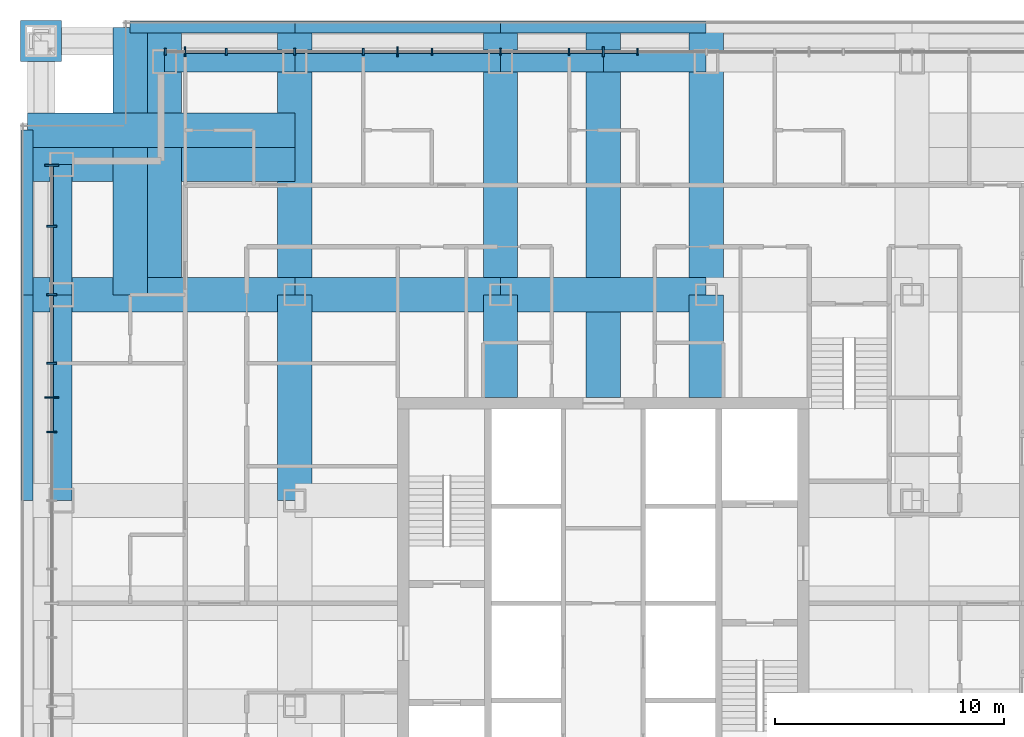
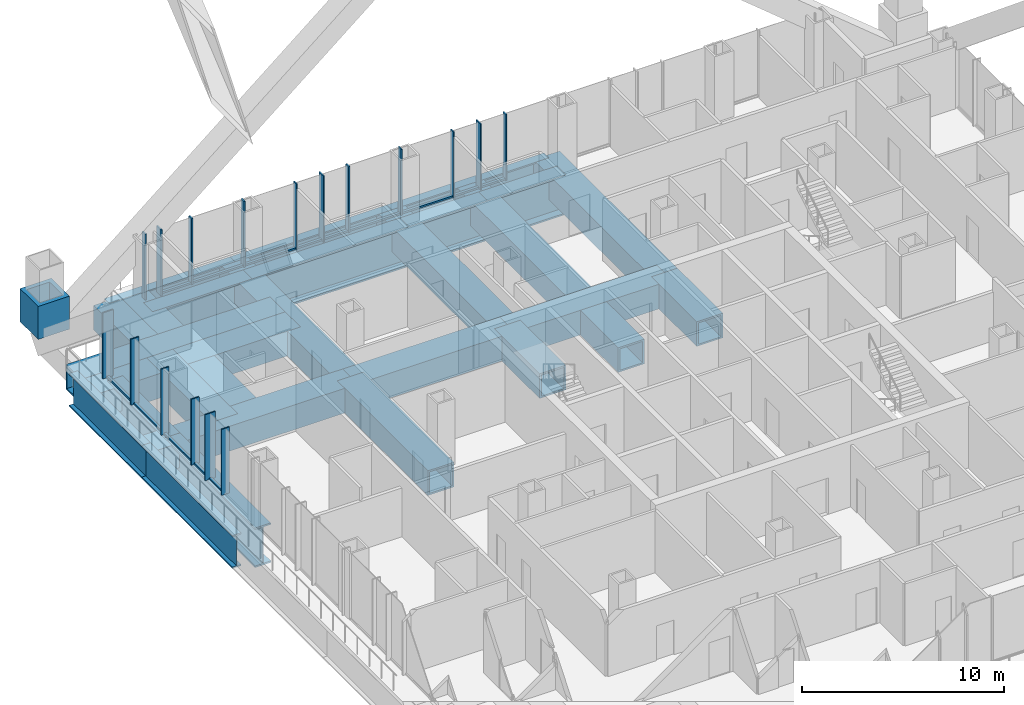
# One storey, part 9 of 20: 32 members, 25 beams, 2 elements without a shape of their own.
"""IFC4 building model written with IfcOpenShell, lengths in metres."""

import ifcopenshell
import ifcopenshell.guid

model = None  # the IFC model being written
_history = None  # IfcOwnerHistory: only IFC2X3 demands one
_inside = {}  # id of a spatial element -> (the spatial element, [elements in it])
_under = {}  # id of a project, library or spatial element -> (it, [spatial elements below it])
_declared = {}  # id of a project -> (the project, [libraries it declares])
_typed = {}  # id of a type object -> (the type object, [elements of that type])
_made_of = {}  # id of a material, layer set ... -> (it, [elements and type objects made of it])


def new_model(schema):
    """Start an empty IFC model of exactly this schema.

    Asked for "IFC4X3", IfcOpenShell would pick the latest addendum, in which some entities
    have other attributes; the version numbers below select the first issue.
    IFC2X3 requires an IfcOwnerHistory on every rooted entity: one is made here for all.
    """
    global model, _history
    if schema == "IFC4X3":
        model = ifcopenshell.file(schema_version=(4, 3, 0, 0))
    else:
        model = ifcopenshell.file(schema=schema)
    _inside.clear()
    _under.clear()
    _declared.clear()
    _typed.clear()
    _made_of.clear()
    _history = None
    if model.schema == "IFC2X3":
        org = make("IfcOrganization", Name="unknown")
        user = make(
            "IfcPersonAndOrganization",
            ThePerson=make("IfcPerson", FamilyName="unknown"),
            TheOrganization=org,
        )
        app = make(
            "IfcApplication",
            ApplicationDeveloper=org,
            Version="unknown",
            ApplicationFullName="unknown",
            ApplicationIdentifier="unknown",
        )
        _history = make(
            "IfcOwnerHistory",
            OwningUser=user,
            OwningApplication=app,
            ChangeAction="ADDED",
            CreationDate=0,
        )
    return model


def make(cls, **values):
    """One entity of the class cls with the attributes given. An attribute that is None is left unset."""
    return model.create_entity(
        cls, **{name: value for name, value in values.items() if value is not None}
    )


def rooted(cls, **values):
    """An entity with a GlobalId (a new one), such as an element, a storey or a relation."""
    return make(cls, GlobalId=ifcopenshell.guid.new(), OwnerHistory=_history, **values)


def si_unit(unit_type, name, prefix=None):
    """IfcSIUnit, for example si_unit("LENGTHUNIT", "METRE", prefix="MILLI")."""
    return make("IfcSIUnit", UnitType=unit_type, Prefix=prefix, Name=name)


def assignment(units):
    """IfcUnitAssignment: the units of a project."""
    return None if units is None else make("IfcUnitAssignment", Units=units)


def point(xyz):
    """IfcCartesianPoint."""
    return None if xyz is None else make("IfcCartesianPoint", Coordinates=xyz)


def direction(xyz):
    """IfcDirection."""
    return None if xyz is None else make("IfcDirection", DirectionRatios=xyz)


def frame(location, z_axis=None, x_axis=None):
    """IfcAxis2Placement3D, a coordinate frame: its origin and axes. An axis left out is left unset."""
    return make(
        "IfcAxis2Placement3D",
        Location=point(location),
        Axis=direction(z_axis),
        RefDirection=direction(x_axis),
    )


def frame_2d(location, x_axis=None):
    """IfcAxis2Placement2D, a coordinate frame in the plane: its origin and x axis."""
    return make(
        "IfcAxis2Placement2D", Location=point(location), RefDirection=direction(x_axis)
    )


def origin():
    """The frame at (0, 0, 0) with its axes left unset."""
    return frame((0.0, 0.0, 0.0))


def origin_2d():
    """The frame at (0, 0) in the plane with its x axis left unset."""
    return frame_2d((0.0, 0.0))


def place(relative_to, where):
    """IfcLocalPlacement: puts the frame where relative to a parent placement (None: the world)."""
    return make(
        "IfcLocalPlacement", PlacementRelTo=relative_to, RelativePlacement=where
    )


def context(
    kind, dimensions, precision=None, world=None, true_north=None, identifier=None
):
    """IfcGeometricRepresentationContext, for example the 3D "Model" context."""
    return make(
        "IfcGeometricRepresentationContext",
        ContextIdentifier=identifier,
        ContextType=kind,
        CoordinateSpaceDimension=dimensions,
        Precision=precision,
        WorldCoordinateSystem=world,
        TrueNorth=true_north,
    )


def subcontext(parent, identifier, kind, view, scale=None):
    """IfcGeometricRepresentationSubContext, for example "Body" below "Model"."""
    return make(
        "IfcGeometricRepresentationSubContext",
        ContextIdentifier=identifier,
        ContextType=kind,
        ParentContext=parent,
        TargetScale=scale,
        TargetView=view,
    )


def project(units=None, contexts=None):
    """IfcProject with its units and contexts."""
    return rooted(
        "IfcProject",
        Name="project",
        RepresentationContexts=contexts,
        UnitsInContext=assignment(units),
    )


def spatial(cls, under=None, at=None, **own):
    """A site, building, storey or space (cls), placed at a placement, below another one or the project."""
    s = rooted(cls, ObjectPlacement=at, **own)
    if under is not None:
        _under.setdefault(under.id(), (under, []))[1].append(s)
    return s


def profile(cls, at=None, kind="AREA", **sizes):
    """A parametric profile (cls). Its sizes go by their IFC names, for example OverallWidth=200.0."""
    return make(cls, ProfileType=kind, Position=at, **sizes)


def rectangle(**sizes):
    """IfcRectangleProfileDef."""
    return profile("IfcRectangleProfileDef", **sizes)


def hollow_rectangle(**sizes):
    """IfcRectangleHollowProfileDef."""
    return profile("IfcRectangleHollowProfileDef", **sizes)


def i_section(**sizes):
    """IfcIShapeProfileDef."""
    return profile("IfcIShapeProfileDef", **sizes)


def extrude(swept, where, along, depth):
    """IfcExtrudedAreaSolid: the profile swept, set in the frame where, extruded along a direction by depth."""
    return make(
        "IfcExtrudedAreaSolid",
        SweptArea=swept,
        Position=where,
        ExtrudedDirection=direction(along),
        Depth=depth,
    )


def shape(context_of_items, identifier, shape_type, items):
    """IfcShapeRepresentation: the items that make up one representation, for example the "Body"."""
    return make(
        "IfcShapeRepresentation",
        ContextOfItems=context_of_items,
        RepresentationIdentifier=identifier,
        RepresentationType=shape_type,
        Items=items,
    )


def material(Name=None, Category=None):
    """IfcMaterial."""
    return make("IfcMaterial", Name=Name, Category=Category)


def layer(
    of_material, thickness, ventilated=None, Name=None, Category=None, Priority=None
):
    """IfcMaterialLayer: one layer of a wall or slab, of a material (None: an air gap)."""
    return make(
        "IfcMaterialLayer",
        Material=of_material,
        LayerThickness=thickness,
        IsVentilated=ventilated,
        Name=Name,
        Category=Category,
        Priority=Priority,
    )


def layer_set(layers, Name=None):
    """IfcMaterialLayerSet."""
    return make("IfcMaterialLayerSet", MaterialLayers=layers, LayerSetName=Name)


def material_profile(
    of_material, cross_section, Name=None, Category=None, Priority=None
):
    """IfcMaterialProfile: a cross section and its material."""
    return make(
        "IfcMaterialProfile",
        Name=Name,
        Material=of_material,
        Profile=cross_section,
        Priority=Priority,
        Category=Category,
    )


def profile_set(profiles, Name=None, composite=None):
    """IfcMaterialProfileSet."""
    return make(
        "IfcMaterialProfileSet",
        Name=Name,
        MaterialProfiles=profiles,
        CompositeProfile=composite,
    )


def made_of(thing, what):
    """Note that an element or type object is made of a material, layer set ...; save() writes the relation."""
    if what is not None:
        _made_of.setdefault(what.id(), (what, []))[1].append(thing)
    return thing


def type_object(cls, material=None, **own):
    """A type object (cls), such as IfcWallType, which elements share."""
    return made_of(rooted(cls, **own), material)


def element(
    cls,
    number,
    at=None,
    inside=None,
    cuts=None,
    type_object=None,
    material=None,
    context=None,
    identifier="Body",
    shape_type=None,
    held_by="IfcProductDefinitionShape",
    body=None,
    shapes=None,
    **own,
):
    """One element of the class cls, such as IfcWall. Its Tag is "e" and its number.

    at: its placement. inside: the storey or other place that contains it. cuts: it is an
    opening in that element (IfcRelVoidsElement). A single representation is given by context,
    identifier, shape_type and body (its items); several are given by shapes. held_by: the class
    of the entity that holds the representations. save() writes the other relations.
    """
    e = rooted(cls, Tag="e%d" % number, ObjectPlacement=at, **own)
    if body is not None:
        shapes = [shape(context, identifier, shape_type, body)]
    if shapes is not None:
        e.Representation = make(held_by, Representations=shapes)
    if inside is not None:
        _inside.setdefault(inside.id(), (inside, []))[1].append(e)
    if cuts is not None:
        rooted(
            "IfcRelVoidsElement", RelatingBuildingElement=cuts, RelatedOpeningElement=e
        )
    if type_object is not None:
        _typed.setdefault(type_object.id(), (type_object, []))[1].append(e)
    return made_of(e, material)


def aggregate(whole, parts):
    """IfcRelAggregates: a whole, such as a stair, and the parts it consists of."""
    return rooted("IfcRelAggregates", RelatingObject=whole, RelatedObjects=parts)


def save(model, path):
    """Write the relations noted so far, then the file.

    IfcRelAggregates (storeys below a building ...), IfcRelContainedInSpatialStructure (elements
    in a storey), IfcRelDefinesByType, IfcRelAssociatesMaterial and IfcRelDeclares: one each for
    every whole, place, type object, material and project.
    """
    for whole, parts in _under.values():
        aggregate(whole, parts)
    for where, things in _inside.values():
        rooted(
            "IfcRelContainedInSpatialStructure",
            RelatedElements=things,
            RelatingStructure=where,
        )
    for kind, things in _typed.values():
        rooted("IfcRelDefinesByType", RelatedObjects=things, RelatingType=kind)
    for what, things in _made_of.values():
        rooted("IfcRelAssociatesMaterial", RelatedObjects=things, RelatingMaterial=what)
    for by, libraries in _declared.values():
        rooted("IfcRelDeclares", RelatingContext=by, RelatedDefinitions=libraries)
    model.write(path)


model = new_model("IFC4")

# Units and contexts
model_context = context("Model", 3, precision=1e-05, world=origin(), true_north=direction((0.0, 1.0)))
body_context = subcontext(model_context, "Body", "Model", "MODEL_VIEW")
ifc_project = project(units=[si_unit("LENGTHUNIT", "METRE"), si_unit("AREAUNIT", "SQUARE_METRE"), si_unit("VOLUMEUNIT", "CUBIC_METRE"), si_unit("PLANEANGLEUNIT", "RADIAN"), si_unit("MASSUNIT", "GRAM", prefix="KILO")], contexts=[model_context])

# Site, building, storey
site_placement = place(None, origin())
site = spatial("IfcSite", under=ifc_project, at=site_placement, CompositionType="ELEMENT")
building_placement = place(site_placement, origin())
building = spatial("IfcBuilding", under=site, at=building_placement, Name="Malebo Sky Hospital", CompositionType="ELEMENT")
storey_placement = place(building_placement, frame((0.0, 0.0, 100.0)))
storey = spatial("IfcBuildingStorey", under=building, at=storey_placement, Name="L23", CompositionType="ELEMENT", Elevation=100.0)

# Curtain wall, members
ifc_material_1 = material(Name="Anodised aluminium, natural silver", Category="aluminium")
ifc_layer_1 = layer(ifc_material_1, 0.25)
ifc_layer_set_1 = layer_set([ifc_layer_1], Name="WARD CURTAIN WALL NORTH AND SOUTH")
curtain_wall_type_1 = type_object("IfcCurtainWallType", Name="WARD CURTAIN WALL NORTH AND SOUTH", PredefinedType="NOTDEFINED", material=ifc_layer_set_1)
curtain_wall_1_placement = place(storey_placement, origin())
curtain_wall_1 = element("IfcCurtainWall", 1, at=curtain_wall_1_placement, inside=storey, type_object=curtain_wall_type_1, Name="NS curtain wall N", PredefinedType="NOTDEFINED")
ifc_material_profile_1 = material_profile(ifc_material_1, rectangle(XDim=0.14990234375, YDim=0.10009765625, at=origin_2d()), Name="ALUMINIUM TRANSOM 150x100")
ifc_profile_set_1 = profile_set([ifc_material_profile_1], Name="Anodised aluminium, natural silver")
member_type_1 = type_object("IfcMemberType", Name="ALUMINIUM TRANSOM 150x100", PredefinedType="USERDEFINED", material=ifc_profile_set_1)
member_1_placement = place(storey_placement, frame((41.737548828125, 86.135009765625, 0.050048828125), z_axis=(1.0, 0.0, 0.0), x_axis=(0.0, 1.0, 0.0)))
member_1 = element("IfcMember", 2, at=member_1_placement, type_object=member_type_1, Name="Transom 2", ObjectType="TRANSOM", PredefinedType="USERDEFINED", context=body_context, shape_type="SweptSolid", body=[
    extrude(rectangle(XDim=0.14990234375, YDim=0.10009765625, at=origin_2d()), origin(), (0.0, 0.0, 1.0), 1.724853515625),
])
member_2_placement = place(storey_placement, frame((43.53759765625, 86.135009765625, 0.050048828125), z_axis=(1.0, 0.0, 0.0), x_axis=(0.0, 1.0, 0.0)))
member_2 = element("IfcMember", 3, at=member_2_placement, type_object=member_type_1, Name="Transom 3", ObjectType="TRANSOM", PredefinedType="USERDEFINED", context=body_context, shape_type="SweptSolid", body=[
    extrude(rectangle(XDim=0.14990234375, YDim=0.10009765625, at=origin_2d()), origin(), (0.0, 0.0, 1.0), 2.9248046875),
])
member_3_placement = place(storey_placement, frame((46.53759765625, 86.135009765625, 0.050048828125), z_axis=(1.0, 0.0, 0.0), x_axis=(0.0, 1.0, 0.0)))
member_3 = element("IfcMember", 4, at=member_3_placement, type_object=member_type_1, Name="Transom 4", ObjectType="TRANSOM", PredefinedType="USERDEFINED", context=body_context, shape_type="SweptSolid", body=[
    extrude(rectangle(XDim=0.14990234375, YDim=0.10009765625, at=origin_2d()), origin(), (0.0, 0.0, 1.0), 2.9248046875),
])
member_4_placement = place(storey_placement, frame((49.53759765625, 86.135009765625, 0.050048828125), z_axis=(1.0, 0.0, 0.0), x_axis=(0.0, 1.0, 0.0)))
member_4 = element("IfcMember", 5, at=member_4_placement, type_object=member_type_1, Name="Transom 5", ObjectType="TRANSOM", PredefinedType="USERDEFINED", context=body_context, shape_type="SweptSolid", body=[
    extrude(rectangle(XDim=0.14990234375, YDim=0.10009765625, at=origin_2d()), origin(), (0.0, 0.0, 1.0), 1.4248046875),
])
member_5_placement = place(storey_placement, frame((51.03759765625, 86.135009765625, 0.050048828125), z_axis=(1.0, 0.0, 0.0), x_axis=(0.0, 1.0, 0.0)))
member_5 = element("IfcMember", 6, at=member_5_placement, type_object=member_type_1, Name="Transom 6", ObjectType="TRANSOM", PredefinedType="USERDEFINED", context=body_context, shape_type="SweptSolid", body=[
    extrude(rectangle(XDim=0.14990234375, YDim=0.10009765625, at=origin_2d()), origin(), (0.0, 0.0, 1.0), 1.4248046875),
])
member_6_placement = place(storey_placement, frame((52.53759765625, 86.135009765625, 0.050048828125), z_axis=(1.0, 0.0, 0.0), x_axis=(0.0, 1.0, 0.0)))
member_6 = element("IfcMember", 7, at=member_6_placement, type_object=member_type_1, Name="Transom 7", ObjectType="TRANSOM", PredefinedType="USERDEFINED", context=body_context, shape_type="SweptSolid", body=[
    extrude(rectangle(XDim=0.14990234375, YDim=0.10009765625, at=origin_2d()), origin(), (0.0, 0.0, 1.0), 2.9248046875),
])
member_7_placement = place(storey_placement, frame((55.53759765625, 86.135009765625, 0.050048828125), z_axis=(1.0, 0.0, 0.0), x_axis=(0.0, 1.0, 0.0)))
member_7 = element("IfcMember", 8, at=member_7_placement, type_object=member_type_1, Name="Transom 8", ObjectType="TRANSOM", PredefinedType="USERDEFINED", context=body_context, shape_type="SweptSolid", body=[
    extrude(rectangle(XDim=0.14990234375, YDim=0.10009765625, at=origin_2d()), origin(), (0.0, 0.0, 1.0), 2.9248046875),
])
member_8_placement = place(storey_placement, frame((58.53759765625, 86.135009765625, 0.050048828125), z_axis=(1.0, 0.0, 0.0), x_axis=(0.0, 1.0, 0.0)))
member_8 = element("IfcMember", 9, at=member_8_placement, type_object=member_type_1, Name="Transom 9", ObjectType="TRANSOM", PredefinedType="USERDEFINED", context=body_context, shape_type="SweptSolid", body=[
    extrude(rectangle(XDim=0.14990234375, YDim=0.10009765625, at=origin_2d()), origin(), (0.0, 0.0, 1.0), 1.4248046875),
])
member_9_placement = place(storey_placement, frame((60.03759765625, 86.135009765625, 0.050048828125), z_axis=(1.0, 0.0, 0.0), x_axis=(0.0, 1.0, 0.0)))
member_9 = element("IfcMember", 10, at=member_9_placement, type_object=member_type_1, Name="Transom 10", ObjectType="TRANSOM", PredefinedType="USERDEFINED", context=body_context, shape_type="SweptSolid", body=[
    extrude(rectangle(XDim=0.14990234375, YDim=0.10009765625, at=origin_2d()), origin(), (0.0, 0.0, 1.0), 1.4248046875),
])

ifc_layer_2 = layer(ifc_material_1, 0.25)
ifc_layer_set_2 = layer_set([ifc_layer_2], Name="WARD CURTAIN WALL EAST AND WEST")
curtain_wall_type_2 = type_object("IfcCurtainWallType", Name="WARD CURTAIN WALL EAST AND WEST", PredefinedType="NOTDEFINED", material=ifc_layer_set_2)
curtain_wall_2_placement = place(storey_placement, origin())
curtain_wall_2 = element("IfcCurtainWall", 11, at=curtain_wall_2_placement, inside=storey, type_object=curtain_wall_type_2, Name="EW curtain wall W", PredefinedType="NOTDEFINED")
member_10_placement = place(storey_placement, frame((35.864990234375, 69.53759765625, 0.050048828125), z_axis=(0.0, 1.0, 0.0), x_axis=(-1.0, 0.0, 0.0)))
member_10 = element("IfcMember", 12, at=member_10_placement, type_object=member_type_1, Name="Transom 13", ObjectType="TRANSOM", PredefinedType="USERDEFINED", context=body_context, shape_type="SweptSolid", body=[
    extrude(rectangle(XDim=0.14990234375, YDim=0.10009765625, at=origin_2d()), origin(), (0.0, 0.0, 1.0), 1.4248046875),
])
member_11_placement = place(storey_placement, frame((35.864990234375, 71.03759765625, 0.050048828125), z_axis=(0.0, 1.0, 0.0), x_axis=(-1.0, 0.0, 0.0)))
member_11 = element("IfcMember", 13, at=member_11_placement, type_object=member_type_1, Name="Transom 14", ObjectType="TRANSOM", PredefinedType="USERDEFINED", context=body_context, shape_type="SweptSolid", body=[
    extrude(rectangle(XDim=0.14990234375, YDim=0.10009765625, at=origin_2d()), origin(), (0.0, 0.0, 1.0), 1.4248046875),
])
member_12_placement = place(storey_placement, frame((35.864990234375, 72.53759765625, 0.050048828125), z_axis=(0.0, 1.0, 0.0), x_axis=(-1.0, 0.0, 0.0)))
member_12 = element("IfcMember", 14, at=member_12_placement, type_object=member_type_1, Name="Transom 15", ObjectType="TRANSOM", PredefinedType="USERDEFINED", context=body_context, shape_type="SweptSolid", body=[
    extrude(rectangle(XDim=0.14990234375, YDim=0.10009765625, at=origin_2d()), origin(), (0.0, 0.0, 1.0), 2.9248046875),
])
member_13_placement = place(storey_placement, frame((35.864990234375, 75.53759765625, 0.050048828125), z_axis=(0.0, 1.0, 0.0), x_axis=(-1.0, 0.0, 0.0)))
member_13 = element("IfcMember", 15, at=member_13_placement, type_object=member_type_1, Name="Transom 16", ObjectType="TRANSOM", PredefinedType="USERDEFINED", context=body_context, shape_type="SweptSolid", body=[
    extrude(rectangle(XDim=0.14990234375, YDim=0.10009765625, at=origin_2d()), origin(), (0.0, 0.0, 1.0), 2.9248046875),
])
member_14_placement = place(storey_placement, frame((35.864990234375, 78.53759765625, 0.050048828125), z_axis=(0.0, 1.0, 0.0), x_axis=(-1.0, 0.0, 0.0)))
member_14 = element("IfcMember", 16, at=member_14_placement, type_object=member_type_1, Name="Transom 17", ObjectType="TRANSOM", PredefinedType="USERDEFINED", context=body_context, shape_type="SweptSolid", body=[
    extrude(rectangle(XDim=0.14990234375, YDim=0.10009765625, at=origin_2d()), origin(), (0.0, 0.0, 1.0), 2.58740234375),
])

# Member
ifc_material_profile_2 = material_profile(ifc_material_1, rectangle(XDim=0.074951171875, YDim=0.300048828125, at=origin_2d()), Name="CW1 ALUMINIUM FIN MULLION 75x300")
ifc_profile_set_2 = profile_set([ifc_material_profile_2], Name="Anodised aluminium, natural silver")
member_type_2 = type_object("IfcMemberType", Name="CW1 ALUMINIUM FIN MULLION 75x300", PredefinedType="MULLION", material=ifc_profile_set_2)
member_15_placement = place(storey_placement, frame((40.83740234375, 86.135009765625, 0.0), z_axis=(0.0, 0.0, 1.0), x_axis=(1.0, 0.0, 0.0)))
member_15 = element("IfcMember", 17, at=member_15_placement, type_object=member_type_2, Name="Fin mullion 1", PredefinedType="MULLION", context=body_context, shape_type="SweptSolid", body=[
    extrude(rectangle(XDim=0.074951171875, YDim=0.300048828125, at=origin_2d()), origin(), (0.0, 0.0, 1.0), 4.0),
])

member_16_placement = place(storey_placement, frame((43.5, 86.135009765625, 0.0), z_axis=(0.0, 0.0, 1.0), x_axis=(1.0, 0.0, 0.0)))
member_16 = element("IfcMember", 18, at=member_16_placement, type_object=member_type_2, Name="Fin mullion 3", PredefinedType="MULLION", context=body_context, shape_type="SweptSolid", body=[
    extrude(rectangle(XDim=0.074951171875, YDim=0.300048828125, at=origin_2d()), origin(), (0.0, 0.0, 1.0), 4.0),
])

member_17_placement = place(storey_placement, frame((46.5, 86.135009765625, 0.0), z_axis=(0.0, 0.0, 1.0), x_axis=(1.0, 0.0, 0.0)))
member_17 = element("IfcMember", 19, at=member_17_placement, type_object=member_type_2, Name="Fin mullion 4", PredefinedType="MULLION", context=body_context, shape_type="SweptSolid", body=[
    extrude(rectangle(XDim=0.074951171875, YDim=0.300048828125, at=origin_2d()), origin(), (0.0, 0.0, 1.0), 4.0),
])

member_18_placement = place(storey_placement, frame((49.5, 86.135009765625, 0.0), z_axis=(0.0, 0.0, 1.0), x_axis=(1.0, 0.0, 0.0)))
member_18 = element("IfcMember", 20, at=member_18_placement, type_object=member_type_2, Name="Fin mullion 5", PredefinedType="MULLION", context=body_context, shape_type="SweptSolid", body=[
    extrude(rectangle(XDim=0.074951171875, YDim=0.300048828125, at=origin_2d()), origin(), (0.0, 0.0, 1.0), 4.0),
])

member_19_placement = place(storey_placement, frame((52.5, 86.135009765625, 0.0), z_axis=(0.0, 0.0, 1.0), x_axis=(1.0, 0.0, 0.0)))
member_19 = element("IfcMember", 21, at=member_19_placement, type_object=member_type_2, Name="Fin mullion 7", PredefinedType="MULLION", context=body_context, shape_type="SweptSolid", body=[
    extrude(rectangle(XDim=0.074951171875, YDim=0.300048828125, at=origin_2d()), origin(), (0.0, 0.0, 1.0), 4.0),
])

member_20_placement = place(storey_placement, frame((55.5, 86.135009765625, 0.0), z_axis=(0.0, 0.0, 1.0), x_axis=(1.0, 0.0, 0.0)))
member_20 = element("IfcMember", 22, at=member_20_placement, type_object=member_type_2, Name="Fin mullion 8", PredefinedType="MULLION", context=body_context, shape_type="SweptSolid", body=[
    extrude(rectangle(XDim=0.074951171875, YDim=0.300048828125, at=origin_2d()), origin(), (0.0, 0.0, 1.0), 4.0),
])

member_21_placement = place(storey_placement, frame((58.5, 86.135009765625, 0.0), z_axis=(0.0, 0.0, 1.0), x_axis=(1.0, 0.0, 0.0)))
member_21 = element("IfcMember", 23, at=member_21_placement, type_object=member_type_2, Name="Fin mullion 9", PredefinedType="MULLION", context=body_context, shape_type="SweptSolid", body=[
    extrude(rectangle(XDim=0.074951171875, YDim=0.300048828125, at=origin_2d()), origin(), (0.0, 0.0, 1.0), 4.0),
])

member_22_placement = place(storey_placement, frame((61.5, 86.135009765625, 0.0), z_axis=(0.0, 0.0, 1.0), x_axis=(1.0, 0.0, 0.0)))
member_22 = element("IfcMember", 24, at=member_22_placement, type_object=member_type_2, Name="Fin mullion 11", PredefinedType="MULLION", context=body_context, shape_type="SweptSolid", body=[
    extrude(rectangle(XDim=0.074951171875, YDim=0.300048828125, at=origin_2d()), origin(), (0.0, 0.0, 1.0), 4.0),
])

ifc_material_profile_3 = material_profile(ifc_material_1, rectangle(XDim=0.074951171875, YDim=0.449951171875, at=origin_2d()), Name="CW1 ALUMINIUM FIN MULLION 75x450")
ifc_profile_set_3 = profile_set([ifc_material_profile_3], Name="Anodised aluminium, natural silver")
member_type_3 = type_object("IfcMemberType", Name="CW1 ALUMINIUM FIN MULLION 75x450", PredefinedType="MULLION", material=ifc_profile_set_3)
member_23_placement = place(storey_placement, frame((41.699951171875, 86.135009765625, 0.0), z_axis=(0.0, 0.0, 1.0), x_axis=(1.0, 0.0, 0.0)))
member_23 = element("IfcMember", 25, at=member_23_placement, type_object=member_type_3, Name="Fin mullion 2", PredefinedType="MULLION", context=body_context, shape_type="SweptSolid", body=[
    extrude(rectangle(XDim=0.074951171875, YDim=0.449951171875, at=origin_2d()), origin(), (0.0, 0.0, 1.0), 4.0),
])

member_24_placement = place(storey_placement, frame((51.0, 86.135009765625, 0.0), z_axis=(0.0, 0.0, 1.0), x_axis=(1.0, 0.0, 0.0)))
member_24 = element("IfcMember", 26, at=member_24_placement, type_object=member_type_3, Name="Fin mullion 6", PredefinedType="MULLION", context=body_context, shape_type="SweptSolid", body=[
    extrude(rectangle(XDim=0.074951171875, YDim=0.449951171875, at=origin_2d()), origin(), (0.0, 0.0, 1.0), 4.0),
])

member_25_placement = place(storey_placement, frame((60.0, 86.135009765625, 0.0), z_axis=(0.0, 0.0, 1.0), x_axis=(1.0, 0.0, 0.0)))
member_25 = element("IfcMember", 27, at=member_25_placement, type_object=member_type_3, Name="Fin mullion 10", PredefinedType="MULLION", context=body_context, shape_type="SweptSolid", body=[
    extrude(rectangle(XDim=0.074951171875, YDim=0.449951171875, at=origin_2d()), origin(), (0.0, 0.0, 1.0), 4.0),
])

aggregate(curtain_wall_1, [member_15, member_23, member_16, member_17, member_18, member_24, member_19, member_20, member_21, member_25, member_22, member_1, member_2, member_3, member_4, member_5, member_6, member_7, member_8, member_9])

ifc_material_profile_4 = material_profile(ifc_material_1, rectangle(XDim=0.074951171875, YDim=0.449951171875, at=origin_2d()), Name="CW2 ALUMINIUM FIN MULLION 75x450")
ifc_profile_set_4 = profile_set([ifc_material_profile_4], Name="Anodised aluminium, natural silver")
member_type_4 = type_object("IfcMemberType", Name="CW2 ALUMINIUM FIN MULLION 75x450", PredefinedType="MULLION", material=ifc_profile_set_4)
member_26_placement = place(storey_placement, frame((35.864990234375, 69.5, 0.0), z_axis=(0.0, 0.0, 1.0), x_axis=(0.0, 1.0, 0.0)))
member_26 = element("IfcMember", 28, at=member_26_placement, type_object=member_type_4, Name="Fin mullion 13", PredefinedType="MULLION", context=body_context, shape_type="SweptSolid", body=[
    extrude(rectangle(XDim=0.074951171875, YDim=0.449951171875, at=origin_2d()), origin(), (0.0, 0.0, 1.0), 4.0),
])

member_27_placement = place(storey_placement, frame((35.864990234375, 72.5, 0.0), z_axis=(0.0, 0.0, 1.0), x_axis=(0.0, 1.0, 0.0)))
member_27 = element("IfcMember", 29, at=member_27_placement, type_object=member_type_4, Name="Fin mullion 15", PredefinedType="MULLION", context=body_context, shape_type="SweptSolid", body=[
    extrude(rectangle(XDim=0.074951171875, YDim=0.449951171875, at=origin_2d()), origin(), (0.0, 0.0, 1.0), 4.0),
])

member_28_placement = place(storey_placement, frame((35.864990234375, 75.5, 0.0), z_axis=(0.0, 0.0, 1.0), x_axis=(0.0, 1.0, 0.0)))
member_28 = element("IfcMember", 30, at=member_28_placement, type_object=member_type_4, Name="Fin mullion 16", PredefinedType="MULLION", context=body_context, shape_type="SweptSolid", body=[
    extrude(rectangle(XDim=0.074951171875, YDim=0.449951171875, at=origin_2d()), origin(), (0.0, 0.0, 1.0), 4.0),
])

member_29_placement = place(storey_placement, frame((35.864990234375, 78.5, 0.0), z_axis=(0.0, 0.0, 1.0), x_axis=(0.0, 1.0, 0.0)))
member_29 = element("IfcMember", 31, at=member_29_placement, type_object=member_type_4, Name="Fin mullion 17", PredefinedType="MULLION", context=body_context, shape_type="SweptSolid", body=[
    extrude(rectangle(XDim=0.074951171875, YDim=0.449951171875, at=origin_2d()), origin(), (0.0, 0.0, 1.0), 4.0),
])

ifc_material_profile_5 = material_profile(ifc_material_1, rectangle(XDim=0.074951171875, YDim=0.60009765625, at=origin_2d()), Name="CW2 ALUMINIUM FIN MULLION 75x600")
ifc_profile_set_5 = profile_set([ifc_material_profile_5], Name="Anodised aluminium, natural silver")
member_type_5 = type_object("IfcMemberType", Name="CW2 ALUMINIUM FIN MULLION 75x600", PredefinedType="MULLION", material=ifc_profile_set_5)
member_30_placement = place(storey_placement, frame((35.864990234375, 71.0, 0.0), z_axis=(0.0, 0.0, 1.0), x_axis=(0.0, 1.0, 0.0)))
member_30 = element("IfcMember", 32, at=member_30_placement, type_object=member_type_5, Name="Fin mullion 14", PredefinedType="MULLION", context=body_context, shape_type="SweptSolid", body=[
    extrude(rectangle(XDim=0.074951171875, YDim=0.60009765625, at=origin_2d()), origin(), (0.0, 0.0, 1.0), 4.0),
])

member_31_placement = place(storey_placement, frame((35.864990234375, 81.16259765625, 0.0), z_axis=(0.0, 0.0, 1.0), x_axis=(0.0, 1.0, 0.0)))
member_31 = element("IfcMember", 33, at=member_31_placement, type_object=member_type_5, Name="Fin mullion 18", PredefinedType="MULLION", context=body_context, shape_type="SweptSolid", body=[
    extrude(rectangle(XDim=0.074951171875, YDim=0.60009765625, at=origin_2d()), origin(), (0.0, 0.0, 1.0), 4.0),
])

aggregate(curtain_wall_2, [member_26, member_30, member_27, member_28, member_29, member_31, member_10, member_11, member_12, member_13, member_14])

ifc_material_2 = material(Name="Steel S460", Category="steel")
ifc_material_profile_6 = material_profile(ifc_material_2, hollow_rectangle(XDim=1.800048828125, YDim=1.800048828125, WallThickness=0.25, at=origin_2d()), Name="BOX 1800x1800x250")
ifc_profile_set_6 = profile_set([ifc_material_profile_6], Name="Steel S460")
member_type_6 = type_object("IfcMemberType", Name="MEGA COLUMN NODE BOX 1800x1800x250", PredefinedType="MEMBER", material=ifc_profile_set_6)
member_32_placement = place(storey_placement, frame((35.39990234375, 86.60009765625, 0.0), z_axis=(0.0, 0.0, 1.0), x_axis=(1.0, 0.0, 0.0)))
element("IfcMember", 34, at=member_32_placement, inside=storey, type_object=member_type_6, Name="Mega column node NW L23", PredefinedType="MEMBER", context=body_context, shape_type="SweptSolid", body=[
    extrude(hollow_rectangle(XDim=1.800048828125, YDim=1.800048828125, WallThickness=0.25, at=origin_2d()), origin(), (0.0, 0.0, 1.0), 2.0),
])

# Beams
ifc_material_profile_7 = material_profile(ifc_material_2, hollow_rectangle(XDim=1.5, YDim=1.5, WallThickness=0.10009765625, at=origin_2d()), Name="BOX 1500x1500x100")
ifc_profile_set_7 = profile_set([ifc_material_profile_7], Name="Steel S460")
beam_type_1 = type_object("IfcBeamType", Name="TRANSFER GIRDER BOX 1500x1500x100", PredefinedType="BEAM", material=ifc_profile_set_7)
beam_1_placement = place(storey_placement, frame((46.5, 66.5, -1.0), z_axis=(0.0, 1.0, 0.0), x_axis=(-1.0, 0.0, 0.0)))
element("IfcBeam", 35, at=beam_1_placement, inside=storey, type_object=beam_type_1, Name="Beam 013 L23", PredefinedType="BEAM", context=body_context, shape_type="SweptSolid", body=[
    extrude(hollow_rectangle(XDim=1.5, YDim=1.5, WallThickness=0.10009765625, at=origin_2d()), origin(), (0.0, 0.0, 1.0), 9.0),
])
beam_2_placement = place(storey_placement, frame((46.5, 75.5, -1.0), z_axis=(0.0, 1.0, 0.0), x_axis=(-1.0, 0.0, 0.0)))
element("IfcBeam", 36, at=beam_2_placement, inside=storey, type_object=beam_type_1, Name="Beam 014 L23", PredefinedType="BEAM", context=body_context, shape_type="SweptSolid", body=[
    extrude(hollow_rectangle(XDim=1.5, YDim=1.5, WallThickness=0.10009765625, at=origin_2d()), origin(), (0.0, 0.0, 1.0), 11.699951171875),
])
beam_3_placement = place(storey_placement, frame((55.5, 71.0, -1.0), z_axis=(0.0, 1.0, 0.0), x_axis=(-1.0, 0.0, 0.0)))
element("IfcBeam", 37, at=beam_3_placement, inside=storey, type_object=beam_type_1, Name="Beam 017 L23", PredefinedType="BEAM", context=body_context, shape_type="SweptSolid", body=[
    extrude(hollow_rectangle(XDim=1.5, YDim=1.5, WallThickness=0.10009765625, at=origin_2d()), origin(), (0.0, 0.0, 1.0), 4.5),
])
beam_4_placement = place(storey_placement, frame((55.5, 75.5, -1.0), z_axis=(0.0, 1.0, 0.0), x_axis=(-1.0, 0.0, 0.0)))
element("IfcBeam", 38, at=beam_4_placement, inside=storey, type_object=beam_type_1, Name="Beam 018 L23", PredefinedType="BEAM", context=body_context, shape_type="SweptSolid", body=[
    extrude(hollow_rectangle(XDim=1.5, YDim=1.5, WallThickness=0.10009765625, at=origin_2d()), origin(), (0.0, 0.0, 1.0), 11.699951171875),
])
beam_5_placement = place(storey_placement, frame((64.5, 71.0, -1.0), z_axis=(0.0, 1.0, 0.0), x_axis=(-1.0, 0.0, 0.0)))
element("IfcBeam", 39, at=beam_5_placement, inside=storey, type_object=beam_type_1, Name="Beam 023 L23", PredefinedType="BEAM", context=body_context, shape_type="SweptSolid", body=[
    extrude(hollow_rectangle(XDim=1.5, YDim=1.5, WallThickness=0.10009765625, at=origin_2d()), origin(), (0.0, 0.0, 1.0), 4.5),
])
for number, where, z_axis, x_axis, name in (
    (40, (64.5, 75.5, -1.0), (0.0, 1.0, 0.0), (-1.0, 0.0, 0.0), "Beam 024 L23"),
    (41, (34.800048828125, 75.5, -1.0), (1.0, 0.0, 0.0), (0.0, 1.0, 0.0), "Beam 065 L23"),
):
    element("IfcBeam", number, at=place(storey_placement, frame(where, z_axis=z_axis, x_axis=x_axis)), inside=storey, type_object=beam_type_1, Name=name, PredefinedType="BEAM", context=body_context, shape_type="SweptSolid", body=[
        extrude(hollow_rectangle(XDim=1.5, YDim=1.5, WallThickness=0.10009765625, at=origin_2d()), origin(), (0.0, 0.0, 1.0), 11.699951171875),
    ])
for number, where, z_axis, x_axis, name in (
    (42, (46.5, 75.5, -1.0), (1.0, 0.0, 0.0), (0.0, 1.0, 0.0), "Beam 066 L23"),
    (43, (55.5, 75.5, -1.0), (1.0, 0.0, 0.0), (0.0, 1.0, 0.0), "Beam 067 L23"),
):
    element("IfcBeam", number, at=place(storey_placement, frame(where, z_axis=z_axis, x_axis=x_axis)), inside=storey, type_object=beam_type_1, Name=name, PredefinedType="BEAM", context=body_context, shape_type="SweptSolid", body=[
        extrude(hollow_rectangle(XDim=1.5, YDim=1.5, WallThickness=0.10009765625, at=origin_2d()), origin(), (0.0, 0.0, 1.0), 9.0),
    ])
for number, where, z_axis, x_axis, name in (
    (44, (39.300048828125, 75.5, -1.0), (0.0, 1.0, 0.0), (-1.0, 0.0, 0.0), "Beam 007 L23"),
    (45, (40.800048828125, 75.5, -1.0), (0.0, 1.0, 0.0), (-1.0, 0.0, 0.0), "Beam 009 L23"),
):
    element("IfcBeam", number, at=place(storey_placement, frame(where, z_axis=z_axis, x_axis=x_axis)), inside=storey, type_object=beam_type_1, Name=name, PredefinedType="BEAM", context=body_context, shape_type="SweptSolid", body=[
        extrude(hollow_rectangle(XDim=1.5, YDim=1.5, WallThickness=0.10009765625, at=origin_2d()), origin(), (0.0, 0.0, 1.0), 11.699951171875),
    ])
beam_6_placement = place(storey_placement, frame((60.0, 71.0, -1.0), z_axis=(0.0, 1.0, 0.0), x_axis=(-1.0, 0.0, 0.0)))
element("IfcBeam", 46, at=beam_6_placement, inside=storey, type_object=beam_type_1, Name="Beam 020 L23", PredefinedType="BEAM", context=body_context, shape_type="SweptSolid", body=[
    extrude(hollow_rectangle(XDim=1.5, YDim=1.5, WallThickness=0.10009765625, at=origin_2d()), origin(), (0.0, 0.0, 1.0), 16.199951171875),
])
for number, where, z_axis, x_axis, name in (
    (47, (34.800048828125, 81.199951171875, -1.0), (1.0, 0.0, 0.0), (0.0, 1.0, 0.0), "Beam 070 L23"),
    (48, (34.800048828125, 82.699951171875, -1.0), (1.0, 0.0, 0.0), (0.0, 1.0, 0.0), "Beam 072 L23"),
):
    element("IfcBeam", number, at=place(storey_placement, frame(where, z_axis=z_axis, x_axis=x_axis)), inside=storey, type_object=beam_type_1, Name=name, PredefinedType="BEAM", context=body_context, shape_type="SweptSolid", body=[
        extrude(hollow_rectangle(XDim=1.5, YDim=1.5, WallThickness=0.10009765625, at=origin_2d()), origin(), (0.0, 0.0, 1.0), 11.699951171875),
    ])
ifc_material_3 = material(Name="Steel S355", Category="steel")
ifc_material_profile_8 = material_profile(ifc_material_3, i_section(OverallWidth=0.5, OverallDepth=2.0, WebThickness=0.0400390625, FlangeThickness=0.080078125, at=origin_2d()), Name="PG 2000x500x40x80")
ifc_profile_set_8 = profile_set([ifc_material_profile_8], Name="Steel S355")
beam_type_2 = type_object("IfcBeamType", Name="TRANSFER GIRDER PG 2000x500x40x80", PredefinedType="BEAM", material=ifc_profile_set_8)
beam_7_placement = place(storey_placement, frame((34.800048828125, 66.5, -1.25), z_axis=(0.0, 1.0, 0.0), x_axis=(-1.0, 0.0, 0.0)))
element("IfcBeam", 49, at=beam_7_placement, inside=storey, type_object=beam_type_2, Name="Beam 003 L23", PredefinedType="BEAM", context=body_context, shape_type="SweptSolid", body=[
    extrude(i_section(OverallWidth=0.5, OverallDepth=2.0, WebThickness=0.0400390625, FlangeThickness=0.080078125, at=origin_2d()), origin(), (0.0, 0.0, 1.0), 9.0),
])
for number, where, z_axis, x_axis, name in (
    (50, (34.800048828125, 75.5, -1.25), (0.0, 1.0, 0.0), (-1.0, 0.0, 0.0), "Beam 004 L23"),
    (51, (39.300048828125, 87.199951171875, -1.25), (1.0, 0.0, 0.0), (0.0, 1.0, 0.0), "Beam 075 L23"),
):
    element("IfcBeam", number, at=place(storey_placement, frame(where, z_axis=z_axis, x_axis=x_axis)), inside=storey, type_object=beam_type_2, Name=name, PredefinedType="BEAM", context=body_context, shape_type="SweptSolid", body=[
        extrude(i_section(OverallWidth=0.5, OverallDepth=2.0, WebThickness=0.0400390625, FlangeThickness=0.080078125, at=origin_2d()), origin(), (0.0, 0.0, 1.0), 7.199951171875),
    ])
for number, where, z_axis, x_axis, name in (
    (52, (46.5, 87.199951171875, -1.25), (1.0, 0.0, 0.0), (0.0, 1.0, 0.0), "Beam 076 L23"),
    (53, (55.5, 87.199951171875, -1.25), (1.0, 0.0, 0.0), (0.0, 1.0, 0.0), "Beam 077 L23"),
):
    element("IfcBeam", number, at=place(storey_placement, frame(where, z_axis=z_axis, x_axis=x_axis)), inside=storey, type_object=beam_type_2, Name=name, PredefinedType="BEAM", context=body_context, shape_type="SweptSolid", body=[
        extrude(i_section(OverallWidth=0.5, OverallDepth=2.0, WebThickness=0.0400390625, FlangeThickness=0.080078125, at=origin_2d()), origin(), (0.0, 0.0, 1.0), 9.0),
    ])
ifc_material_profile_9 = material_profile(ifc_material_3, i_section(OverallWidth=0.89990234375, OverallDepth=2.39990234375, WebThickness=0.050048828125, FlangeThickness=0.10009765625, at=origin_2d()), Name="PG 2400x900x50x100")
ifc_profile_set_9 = profile_set([ifc_material_profile_9], Name="Steel S355")
beam_type_3 = type_object("IfcBeamType", Name="TRANSFER GIRDER PG 2400x900x50x100", PredefinedType="BEAM", material=ifc_profile_set_9)
beam_8_placement = place(storey_placement, frame((36.300048828125, 66.5, -1.449951171875), z_axis=(0.0, 1.0, 0.0), x_axis=(-1.0, 0.0, 0.0)))
element("IfcBeam", 54, at=beam_8_placement, inside=storey, type_object=beam_type_3, Name="Beam 005e L23", PredefinedType="BEAM", context=body_context, shape_type="SweptSolid", body=[
    extrude(i_section(OverallWidth=0.89990234375, OverallDepth=2.39990234375, WebThickness=0.050048828125, FlangeThickness=0.10009765625, at=origin_2d()), origin(), (0.0, 0.0, 1.0), 9.0),
])
for number, where, z_axis, x_axis, name in (
    (55, (36.300048828125, 75.5, -1.449951171875), (0.0, 1.0, 0.0), (-1.0, 0.0, 0.0), "Beam 005f L23"),
    (56, (40.800048828125, 85.699951171875, -1.449951171875), (1.0, 0.0, 0.0), (0.0, 1.0, 0.0), "Beam 074 L23"),
):
    element("IfcBeam", number, at=place(storey_placement, frame(where, z_axis=z_axis, x_axis=x_axis)), inside=storey, type_object=beam_type_3, Name=name, PredefinedType="BEAM", context=body_context, shape_type="SweptSolid", body=[
        extrude(i_section(OverallWidth=0.89990234375, OverallDepth=2.39990234375, WebThickness=0.050048828125, FlangeThickness=0.10009765625, at=origin_2d()), origin(), (0.0, 0.0, 1.0), 5.699951171875),
    ])
beam_9_placement = place(storey_placement, frame((46.5, 85.699951171875, -1.449951171875), z_axis=(1.0, 0.0, 0.0), x_axis=(0.0, 1.0, 0.0)))
element("IfcBeam", 57, at=beam_9_placement, inside=storey, type_object=beam_type_3, Name="Beam 074b L23", PredefinedType="BEAM", context=body_context, shape_type="SweptSolid", body=[
    extrude(i_section(OverallWidth=0.89990234375, OverallDepth=2.39990234375, WebThickness=0.050048828125, FlangeThickness=0.10009765625, at=origin_2d()), origin(), (0.0, 0.0, 1.0), 9.0),
])
for number, where, z_axis, x_axis, name in (
    (58, (55.5, 85.699951171875, -1.449951171875), (1.0, 0.0, 0.0), (0.0, 1.0, 0.0), "Beam 074c L23"),
    (59, (60.0, 85.699951171875, -1.449951171875), (1.0, 0.0, 0.0), (0.0, 1.0, 0.0), "Beam 074d L23"),
):
    element("IfcBeam", number, at=place(storey_placement, frame(where, z_axis=z_axis, x_axis=x_axis)), inside=storey, type_object=beam_type_3, Name=name, PredefinedType="BEAM", context=body_context, shape_type="SweptSolid", body=[
        extrude(i_section(OverallWidth=0.89990234375, OverallDepth=2.39990234375, WebThickness=0.050048828125, FlangeThickness=0.10009765625, at=origin_2d()), origin(), (0.0, 0.0, 1.0), 4.5),
    ])

save(model, "model.ifc")
